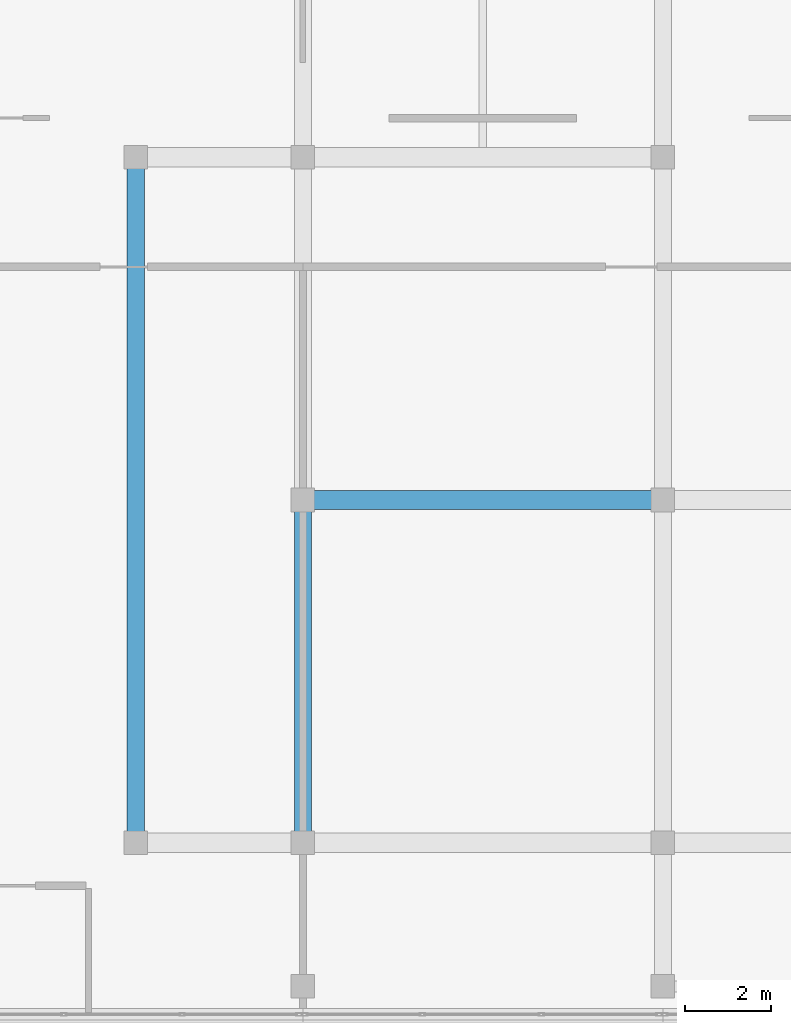
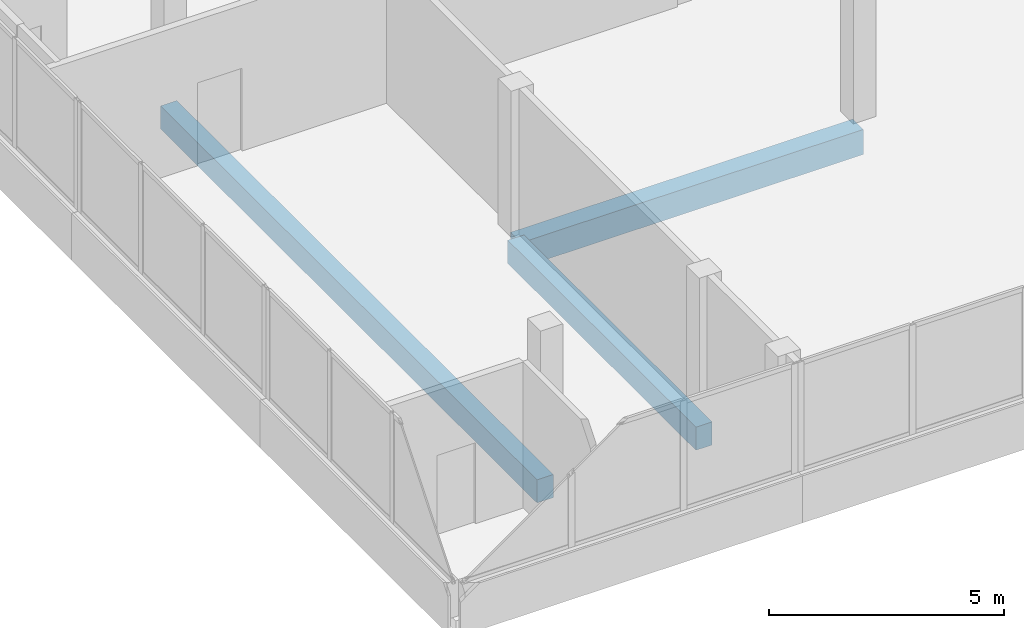
# One storey, part 5 of 66: 3 beams.
"""IFC4 building model written with IfcOpenShell, lengths in metres."""

from ifc_helpers import new_model, si_unit, direction, frame, origin, origin_2d, place, context, subcontext, project, spatial, rectangle, extrude, material, material_profile, profile_set, type_object, element, save


model = new_model("IFC4")

# Units and contexts
model_context = context("Model", 3, precision=1e-05, world=origin(), true_north=direction((0.0, 1.0)))
body_context = subcontext(model_context, "Body", "Model", "MODEL_VIEW")
ifc_project = project(units=[si_unit("LENGTHUNIT", "METRE"), si_unit("AREAUNIT", "SQUARE_METRE"), si_unit("VOLUMEUNIT", "CUBIC_METRE"), si_unit("PLANEANGLEUNIT", "RADIAN"), si_unit("MASSUNIT", "GRAM", prefix="KILO")], contexts=[model_context])

# Site, building, storey
site_placement = place(None, origin())
site = spatial("IfcSite", under=ifc_project, at=site_placement, CompositionType="ELEMENT")
building_placement = place(site_placement, origin())
building = spatial("IfcBuilding", under=site, at=building_placement, Name="Selatvlak General Hospital", CompositionType="ELEMENT")
storey_placement = place(building_placement, frame((0.0, 0.0, 31.35009765625)))
storey = spatial("IfcBuildingStorey", under=building, at=storey_placement, Name="L07", CompositionType="ELEMENT", Elevation=31.35009765625)

# Beams
ifc_material = material(Name="Concrete C40/50", Category="concrete")
ifc_material_profile_1 = material_profile(ifc_material, rectangle(XDim=0.449951171875, YDim=0.64990234375, at=origin_2d()), Name="RC-BM 450x650")
ifc_profile_set_1 = profile_set([ifc_material_profile_1], Name="Concrete C40/50")
beam_type_1 = type_object("IfcBeamType", Name="BM-G04", PredefinedType="BEAM", material=ifc_profile_set_1)
beam_1_placement = place(storey_placement, frame((31.199951171875, 100.0, -0.59521484375), z_axis=(1.0, 0.0, 0.0), x_axis=(0.0, 1.0, 0.0)))
element("IfcBeam", 1, at=beam_1_placement, inside=storey, type_object=beam_type_1, Name="Beam BMR-L07-2404", PredefinedType="BEAM", context=body_context, shape_type="SweptSolid", body=[
    extrude(rectangle(XDim=0.449951171875, YDim=0.64990234375, at=origin_2d()), origin(), (0.0, 0.0, 1.0), 8.400146484375),
])
ifc_material_profile_2 = material_profile(ifc_material, rectangle(XDim=0.39990234375, YDim=0.60009765625, at=origin_2d()), Name="RC-BM 400x600")
ifc_profile_set_2 = profile_set([ifc_material_profile_2], Name="Concrete C40/50")
beam_type_2 = type_object("IfcBeamType", Name="BM-G05", PredefinedType="BEAM", material=ifc_profile_set_2)
beam_2_placement = place(storey_placement, frame((27.300048828125, 92.0, -0.570068359375), z_axis=(0.0, 1.0, 0.0), x_axis=(-1.0, 0.0, 0.0)))
element("IfcBeam", 2, at=beam_2_placement, inside=storey, type_object=beam_type_2, Name="Beam BMR-L07-2459", PredefinedType="BEAM", context=body_context, shape_type="SweptSolid", body=[
    extrude(rectangle(XDim=0.39990234375, YDim=0.60009765625, at=origin_2d()), origin(), (0.0, 0.0, 1.0), 16.0),
])
beam_3_placement = place(storey_placement, frame((31.199951171875, 92.0, -0.570068359375), z_axis=(0.0, 1.0, 0.0), x_axis=(-1.0, 0.0, 0.0)))
element("IfcBeam", 3, at=beam_3_placement, inside=storey, type_object=beam_type_2, Name="Beam BMR-L07-2460", PredefinedType="BEAM", context=body_context, shape_type="SweptSolid", body=[
    extrude(rectangle(XDim=0.39990234375, YDim=0.60009765625, at=origin_2d()), origin(), (0.0, 0.0, 1.0), 8.0),
])

save(model, "model.ifc")
